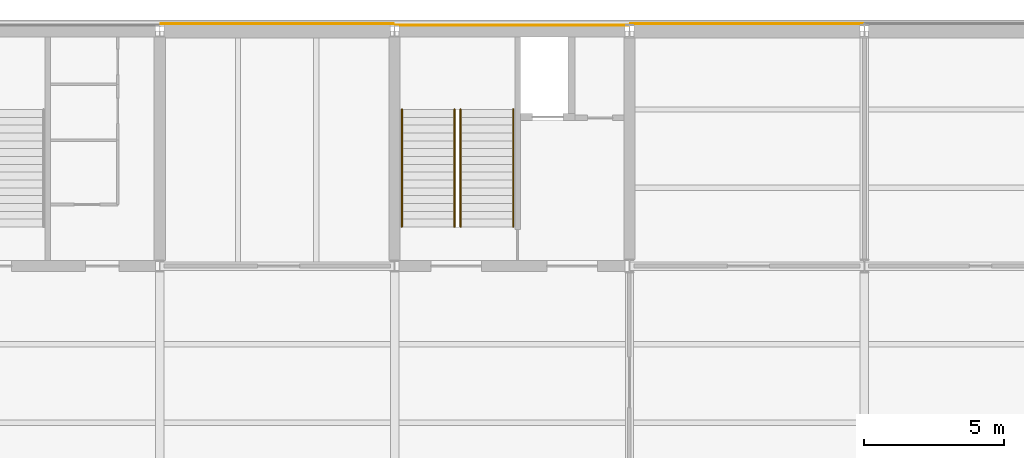
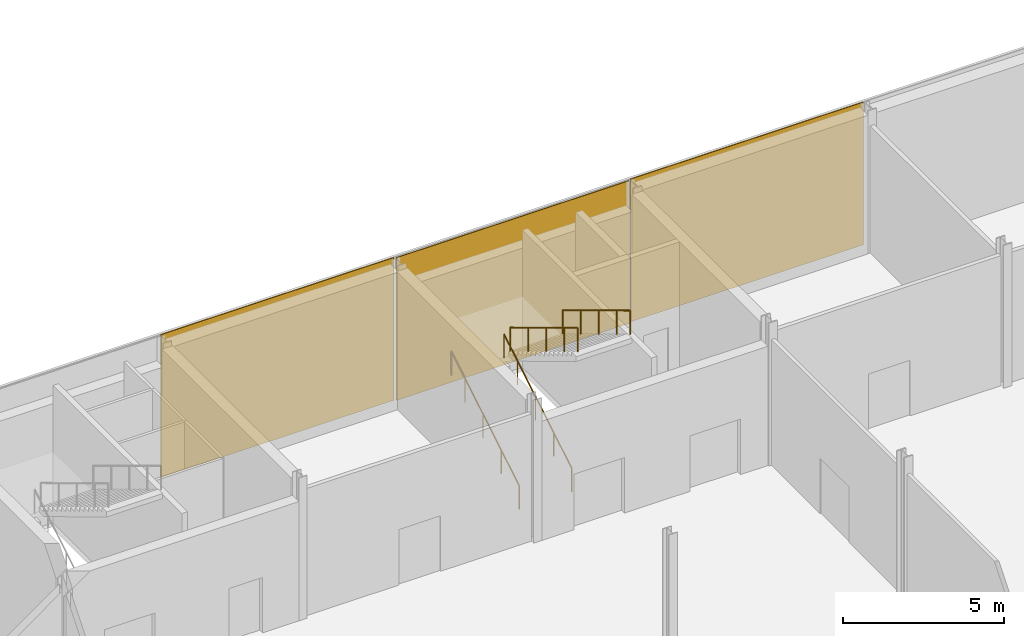
# One storey, part 50 of 57: 4 railings, 3 coverings.
"""IFC4 building model written with IfcOpenShell, lengths in metres."""

import ifcopenshell
import ifcopenshell.guid

model = None  # the IFC model being written
_history = None  # IfcOwnerHistory: only IFC2X3 demands one
_inside = {}  # id of a spatial element -> (the spatial element, [elements in it])
_under = {}  # id of a project, library or spatial element -> (it, [spatial elements below it])
_declared = {}  # id of a project -> (the project, [libraries it declares])
_typed = {}  # id of a type object -> (the type object, [elements of that type])
_made_of = {}  # id of a material, layer set ... -> (it, [elements and type objects made of it])


def new_model(schema):
    """Start an empty IFC model of exactly this schema.

    Asked for "IFC4X3", IfcOpenShell would pick the latest addendum, in which some entities
    have other attributes; the version numbers below select the first issue.
    IFC2X3 requires an IfcOwnerHistory on every rooted entity: one is made here for all.
    """
    global model, _history
    if schema == "IFC4X3":
        model = ifcopenshell.file(schema_version=(4, 3, 0, 0))
    else:
        model = ifcopenshell.file(schema=schema)
    _inside.clear()
    _under.clear()
    _declared.clear()
    _typed.clear()
    _made_of.clear()
    _history = None
    if model.schema == "IFC2X3":
        org = make("IfcOrganization", Name="unknown")
        user = make(
            "IfcPersonAndOrganization",
            ThePerson=make("IfcPerson", FamilyName="unknown"),
            TheOrganization=org,
        )
        app = make(
            "IfcApplication",
            ApplicationDeveloper=org,
            Version="unknown",
            ApplicationFullName="unknown",
            ApplicationIdentifier="unknown",
        )
        _history = make(
            "IfcOwnerHistory",
            OwningUser=user,
            OwningApplication=app,
            ChangeAction="ADDED",
            CreationDate=0,
        )
    return model


def make(cls, **values):
    """One entity of the class cls with the attributes given. An attribute that is None is left unset."""
    return model.create_entity(
        cls, **{name: value for name, value in values.items() if value is not None}
    )


def rooted(cls, **values):
    """An entity with a GlobalId (a new one), such as an element, a storey or a relation."""
    return make(cls, GlobalId=ifcopenshell.guid.new(), OwnerHistory=_history, **values)


def si_unit(unit_type, name, prefix=None):
    """IfcSIUnit, for example si_unit("LENGTHUNIT", "METRE", prefix="MILLI")."""
    return make("IfcSIUnit", UnitType=unit_type, Prefix=prefix, Name=name)


def assignment(units):
    """IfcUnitAssignment: the units of a project."""
    return None if units is None else make("IfcUnitAssignment", Units=units)


def point(xyz):
    """IfcCartesianPoint."""
    return None if xyz is None else make("IfcCartesianPoint", Coordinates=xyz)


def direction(xyz):
    """IfcDirection."""
    return None if xyz is None else make("IfcDirection", DirectionRatios=xyz)


def frame(location, z_axis=None, x_axis=None):
    """IfcAxis2Placement3D, a coordinate frame: its origin and axes. An axis left out is left unset."""
    return make(
        "IfcAxis2Placement3D",
        Location=point(location),
        Axis=direction(z_axis),
        RefDirection=direction(x_axis),
    )


def frame_2d(location, x_axis=None):
    """IfcAxis2Placement2D, a coordinate frame in the plane: its origin and x axis."""
    return make(
        "IfcAxis2Placement2D", Location=point(location), RefDirection=direction(x_axis)
    )


def origin():
    """The frame at (0, 0, 0) with its axes left unset."""
    return frame((0.0, 0.0, 0.0))


def origin_2d():
    """The frame at (0, 0) in the plane with its x axis left unset."""
    return frame_2d((0.0, 0.0))


def place(relative_to, where):
    """IfcLocalPlacement: puts the frame where relative to a parent placement (None: the world)."""
    return make(
        "IfcLocalPlacement", PlacementRelTo=relative_to, RelativePlacement=where
    )


def context(
    kind, dimensions, precision=None, world=None, true_north=None, identifier=None
):
    """IfcGeometricRepresentationContext, for example the 3D "Model" context."""
    return make(
        "IfcGeometricRepresentationContext",
        ContextIdentifier=identifier,
        ContextType=kind,
        CoordinateSpaceDimension=dimensions,
        Precision=precision,
        WorldCoordinateSystem=world,
        TrueNorth=true_north,
    )


def subcontext(parent, identifier, kind, view, scale=None):
    """IfcGeometricRepresentationSubContext, for example "Body" below "Model"."""
    return make(
        "IfcGeometricRepresentationSubContext",
        ContextIdentifier=identifier,
        ContextType=kind,
        ParentContext=parent,
        TargetScale=scale,
        TargetView=view,
    )


def project(units=None, contexts=None):
    """IfcProject with its units and contexts."""
    return rooted(
        "IfcProject",
        Name="project",
        RepresentationContexts=contexts,
        UnitsInContext=assignment(units),
    )


def spatial(cls, under=None, at=None, **own):
    """A site, building, storey or space (cls), placed at a placement, below another one or the project."""
    s = rooted(cls, ObjectPlacement=at, **own)
    if under is not None:
        _under.setdefault(under.id(), (under, []))[1].append(s)
    return s


def profile(cls, at=None, kind="AREA", **sizes):
    """A parametric profile (cls). Its sizes go by their IFC names, for example OverallWidth=200.0."""
    return make(cls, ProfileType=kind, Position=at, **sizes)


def rectangle(**sizes):
    """IfcRectangleProfileDef."""
    return profile("IfcRectangleProfileDef", **sizes)


def circle(**sizes):
    """IfcCircleProfileDef."""
    return profile("IfcCircleProfileDef", **sizes)


def extrude(swept, where, along, depth):
    """IfcExtrudedAreaSolid: the profile swept, set in the frame where, extruded along a direction by depth."""
    return make(
        "IfcExtrudedAreaSolid",
        SweptArea=swept,
        Position=where,
        ExtrudedDirection=direction(along),
        Depth=depth,
    )


def shape(context_of_items, identifier, shape_type, items):
    """IfcShapeRepresentation: the items that make up one representation, for example the "Body"."""
    return make(
        "IfcShapeRepresentation",
        ContextOfItems=context_of_items,
        RepresentationIdentifier=identifier,
        RepresentationType=shape_type,
        Items=items,
    )


def material(Name=None, Category=None):
    """IfcMaterial."""
    return make("IfcMaterial", Name=Name, Category=Category)


def layer(
    of_material, thickness, ventilated=None, Name=None, Category=None, Priority=None
):
    """IfcMaterialLayer: one layer of a wall or slab, of a material (None: an air gap)."""
    return make(
        "IfcMaterialLayer",
        Material=of_material,
        LayerThickness=thickness,
        IsVentilated=ventilated,
        Name=Name,
        Category=Category,
        Priority=Priority,
    )


def layer_set(layers, Name=None):
    """IfcMaterialLayerSet."""
    return make("IfcMaterialLayerSet", MaterialLayers=layers, LayerSetName=Name)


def made_of(thing, what):
    """Note that an element or type object is made of a material, layer set ...; save() writes the relation."""
    if what is not None:
        _made_of.setdefault(what.id(), (what, []))[1].append(thing)
    return thing


def type_object(cls, material=None, **own):
    """A type object (cls), such as IfcWallType, which elements share."""
    return made_of(rooted(cls, **own), material)


def element(
    cls,
    number,
    at=None,
    inside=None,
    cuts=None,
    type_object=None,
    material=None,
    context=None,
    identifier="Body",
    shape_type=None,
    held_by="IfcProductDefinitionShape",
    body=None,
    shapes=None,
    **own,
):
    """One element of the class cls, such as IfcWall. Its Tag is "e" and its number.

    at: its placement. inside: the storey or other place that contains it. cuts: it is an
    opening in that element (IfcRelVoidsElement). A single representation is given by context,
    identifier, shape_type and body (its items); several are given by shapes. held_by: the class
    of the entity that holds the representations. save() writes the other relations.
    """
    e = rooted(cls, Tag="e%d" % number, ObjectPlacement=at, **own)
    if body is not None:
        shapes = [shape(context, identifier, shape_type, body)]
    if shapes is not None:
        e.Representation = make(held_by, Representations=shapes)
    if inside is not None:
        _inside.setdefault(inside.id(), (inside, []))[1].append(e)
    if cuts is not None:
        rooted(
            "IfcRelVoidsElement", RelatingBuildingElement=cuts, RelatedOpeningElement=e
        )
    if type_object is not None:
        _typed.setdefault(type_object.id(), (type_object, []))[1].append(e)
    return made_of(e, material)


def aggregate(whole, parts):
    """IfcRelAggregates: a whole, such as a stair, and the parts it consists of."""
    return rooted("IfcRelAggregates", RelatingObject=whole, RelatedObjects=parts)


def save(model, path):
    """Write the relations noted so far, then the file.

    IfcRelAggregates (storeys below a building ...), IfcRelContainedInSpatialStructure (elements
    in a storey), IfcRelDefinesByType, IfcRelAssociatesMaterial and IfcRelDeclares: one each for
    every whole, place, type object, material and project.
    """
    for whole, parts in _under.values():
        aggregate(whole, parts)
    for where, things in _inside.values():
        rooted(
            "IfcRelContainedInSpatialStructure",
            RelatedElements=things,
            RelatingStructure=where,
        )
    for kind, things in _typed.values():
        rooted("IfcRelDefinesByType", RelatedObjects=things, RelatingType=kind)
    for what, things in _made_of.values():
        rooted("IfcRelAssociatesMaterial", RelatedObjects=things, RelatingMaterial=what)
    for by, libraries in _declared.values():
        rooted("IfcRelDeclares", RelatingContext=by, RelatedDefinitions=libraries)
    model.write(path)


model = new_model("IFC4")

# Units and contexts
model_context = context("Model", 3, precision=1e-05, world=origin(), true_north=direction((0.0, 1.0)))
body_context = subcontext(model_context, "Body", "Model", "MODEL_VIEW")
ifc_project = project(units=[si_unit("LENGTHUNIT", "METRE"), si_unit("AREAUNIT", "SQUARE_METRE"), si_unit("VOLUMEUNIT", "CUBIC_METRE"), si_unit("PLANEANGLEUNIT", "RADIAN"), si_unit("MASSUNIT", "GRAM", prefix="KILO")], contexts=[model_context])

# Site, building, storey
site_placement = place(None, origin())
site = spatial("IfcSite", under=ifc_project, at=site_placement, CompositionType="ELEMENT")
building_placement = place(site_placement, origin())
building = spatial("IfcBuilding", under=site, at=building_placement, Name="Galleria Vessillo Department Store", CompositionType="ELEMENT")
storey_placement = place(building_placement, frame((0.0, 0.0, 25.800048828125)))
storey = spatial("IfcBuildingStorey", under=building, at=storey_placement, Name="L05", CompositionType="ELEMENT", Elevation=25.800048828125)

# Coverings
ifc_material_1 = material(Name="Lime plaster (intonaco) ochre")
ifc_layer = layer(ifc_material_1, 0.030029296875)
ifc_layer_set = layer_set([ifc_layer], Name="Lime plaster (intonaco) ochre")
covering_type = type_object("IfcCoveringType", Name="Lime plaster render 30 mm", PredefinedType="CLADDING", material=ifc_layer_set)
covering_1_placement = place(storey_placement, frame((71.39990234375, 63.264892578125, 0.0), z_axis=(0.0, 0.0, 1.0), x_axis=(1.0, 0.0, 0.0)))
element("IfcCovering", 1, at=covering_1_placement, inside=storey, type_object=covering_type, Name="Wall cladding S-PN-L05-06", PredefinedType="CLADDING", context=body_context, shape_type="SweptSolid", body=[
    extrude(rectangle(XDim=8.34033203125, YDim=0.030029296875, at=origin_2d()), origin(), (0.0, 0.0, 1.0), 5.39990234375),
])
covering_2_placement = place(storey_placement, frame((79.79833984375, 63.215087890625, 0.0), z_axis=(0.0, 0.0, 1.0), x_axis=(1.0, 0.0, 0.0)))
element("IfcCovering", 2, at=covering_2_placement, inside=storey, type_object=covering_type, Name="Wall cladding S-CW-PC-NE-PARTY-L05", PredefinedType="CLADDING", context=body_context, shape_type="SweptSolid", body=[
    extrude(rectangle(XDim=8.33642578125, YDim=0.030029296875, at=origin_2d()), origin(), (0.0, 0.0, 1.0), 5.39990234375),
])
covering_3_placement = place(storey_placement, frame((88.199951171875, 63.264892578125, 0.0), z_axis=(0.0, 0.0, 1.0), x_axis=(1.0, 0.0, 0.0)))
element("IfcCovering", 3, at=covering_3_placement, inside=storey, type_object=covering_type, Name="Wall cladding S-PN-L05-07", PredefinedType="CLADDING", context=body_context, shape_type="SweptSolid", body=[
    extrude(rectangle(XDim=8.332763671875, YDim=0.030029296875, at=origin_2d()), origin(), (0.0, 0.0, 1.0), 5.39990234375),
])

# Railings
ifc_material_2 = material(Name="Stainless steel tube", Category="steel")
railing_type = type_object("IfcRailingType", Name="Stair handrail steel tube 48 mm", PredefinedType="HANDRAIL", material=ifc_material_2)
for number, where, name in (
    (4, (75.860107421875, 56.0, 0.168701171875), "Handrail ST6 L05 flight 1A"),
    (5, (77.739990234375, 56.0, 0.168701171875), "Handrail ST6 L05 flight 1B"),
):
    element("IfcRailing", number, at=place(storey_placement, frame(where)), inside=storey, type_object=railing_type, Name=name, PredefinedType="HANDRAIL", context=body_context, shape_type="SweptSolid", body=[
        extrude(circle(Radius=0.02392578125, at=origin_2d()), frame((0.0, 0.0, 0.89599609375), z_axis=(0.0, 0.856486514401, 0.516169401116), x_axis=(-1.0, 0.0, 0.0)), (0.0, 0.0, 1.0), 1.307861328125),
        extrude(circle(Radius=0.02392578125, at=origin_2d()), frame((0.0, 1.1201171875, 1.57080078125), z_axis=(0.0, 0.856436765236, 0.516251941548), x_axis=(-1.0, 0.0, 0.0)), (0.0, 0.0, 1.0), 1.3076171875),
        extrude(circle(Radius=0.02392578125, at=origin_2d()), frame((0.0, 2.239990234375, 2.24609375), z_axis=(0.0, 0.856486514401, 0.516169401116), x_axis=(-1.0, 0.0, 0.0)), (0.0, 0.0, 1.0), 1.307861328125),
        extrude(circle(Radius=0.02392578125, at=origin_2d()), frame((0.0, 3.360107421875, 2.9208984375), z_axis=(0.0, 0.856502732318, 0.516142489563), x_axis=(-1.0, 0.0, 0.0)), (0.0, 0.0, 1.0), 0.98046875),
        extrude(circle(Radius=0.02099609375, at=origin_2d()), origin(), (0.0, 0.0, 1.0), 0.871826171875),
        extrude(circle(Radius=0.02099609375, at=origin_2d()), frame((0.0, 1.1201171875, 0.675048828125)), (0.0, 0.0, 1.0), 0.871826171875),
        extrude(circle(Radius=0.02099609375, at=origin_2d()), frame((0.0, 2.239990234375, 1.35009765625)), (0.0, 0.0, 1.0), 0.871826171875),
        extrude(circle(Radius=0.02099609375, at=origin_2d()), frame((0.0, 3.360107421875, 2.025146484375)), (0.0, 0.0, 1.0), 0.871826171875),
        extrude(circle(Radius=0.02099609375, at=origin_2d()), frame((0.0, 4.199951171875, 2.53125)), (0.0, 0.0, 1.0), 0.871826171875),
    ])
for number, where, name in (
    (6, (79.83984375, 60.199951171875, 2.86865234375), "Handrail ST6 L05 flight 2A"),
    (7, (77.9599609375, 60.199951171875, 2.86865234375), "Handrail ST6 L05 flight 2B"),
):
    element("IfcRailing", number, at=place(storey_placement, frame(where)), inside=storey, type_object=railing_type, Name=name, PredefinedType="HANDRAIL", context=body_context, shape_type="SweptSolid", body=[
        extrude(circle(Radius=0.02392578125, at=origin_2d()), frame((0.0, 0.0, 0.89599609375), z_axis=(0.0, -0.856486514401, 0.516169401116), x_axis=(1.0, 0.0, 0.0)), (0.0, 0.0, 1.0), 1.307861328125),
        extrude(circle(Radius=0.02392578125, at=origin_2d()), frame((0.0, -1.1201171875, 1.57080078125), z_axis=(0.0, -0.856436765236, 0.516251941548), x_axis=(1.0, 0.0, 0.0)), (0.0, 0.0, 1.0), 1.3076171875),
        extrude(circle(Radius=0.02392578125, at=origin_2d()), frame((0.0, -2.239990234375, 2.24609375), z_axis=(0.0, -0.856486514401, 0.516169401116), x_axis=(1.0, 0.0, 0.0)), (0.0, 0.0, 1.0), 1.307861328125),
        extrude(circle(Radius=0.02392578125, at=origin_2d()), frame((0.0, -3.360107421875, 2.9208984375), z_axis=(0.0, -0.856502732318, 0.516142489563), x_axis=(1.0, 0.0, 0.0)), (0.0, 0.0, 1.0), 0.98046875),
        extrude(circle(Radius=0.02099609375, at=origin_2d()), origin(), (0.0, 0.0, 1.0), 0.871826171875),
        extrude(circle(Radius=0.02099609375, at=origin_2d()), frame((0.0, -1.1201171875, 0.675048828125)), (0.0, 0.0, 1.0), 0.871826171875),
        extrude(circle(Radius=0.02099609375, at=origin_2d()), frame((0.0, -2.239990234375, 1.35009765625)), (0.0, 0.0, 1.0), 0.871826171875),
        extrude(circle(Radius=0.02099609375, at=origin_2d()), frame((0.0, -3.360107421875, 2.025146484375)), (0.0, 0.0, 1.0), 0.871826171875),
        extrude(circle(Radius=0.02099609375, at=origin_2d()), frame((0.0, -4.199951171875, 2.53125)), (0.0, 0.0, 1.0), 0.871826171875),
    ])

save(model, "model.ifc")
